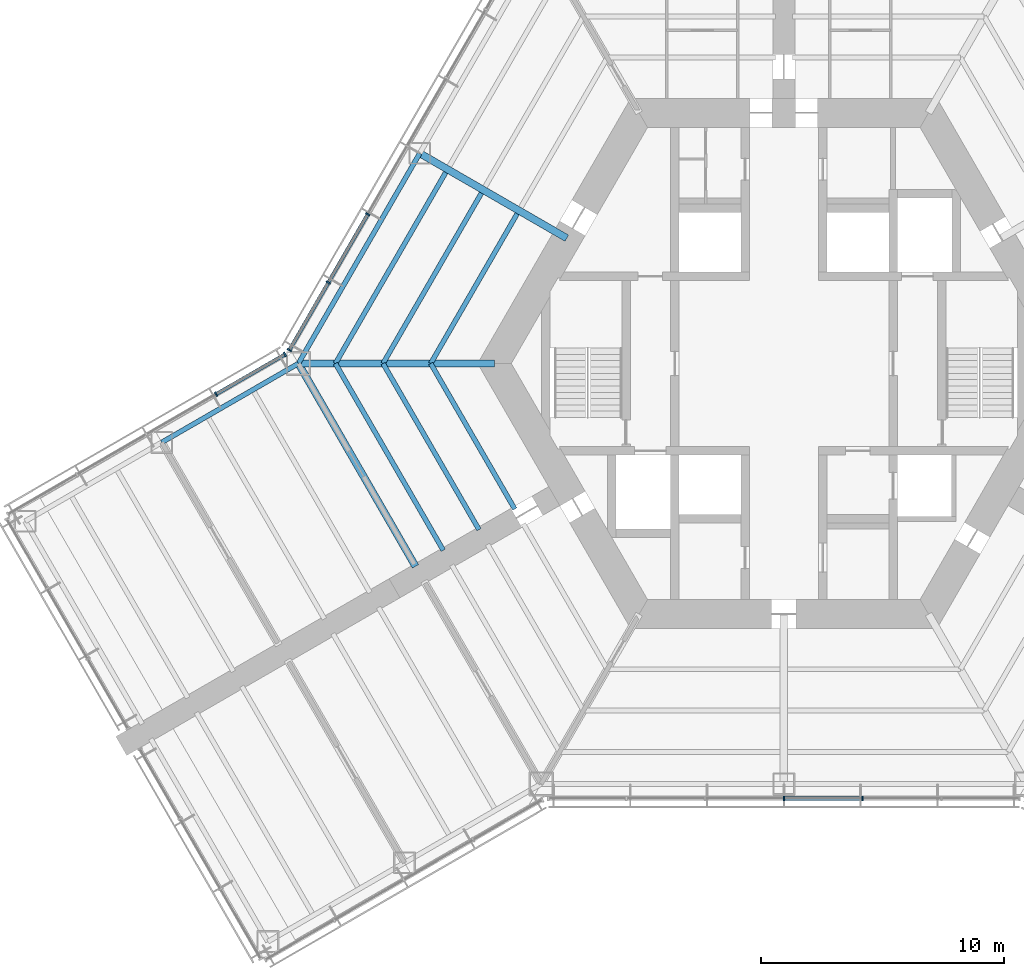
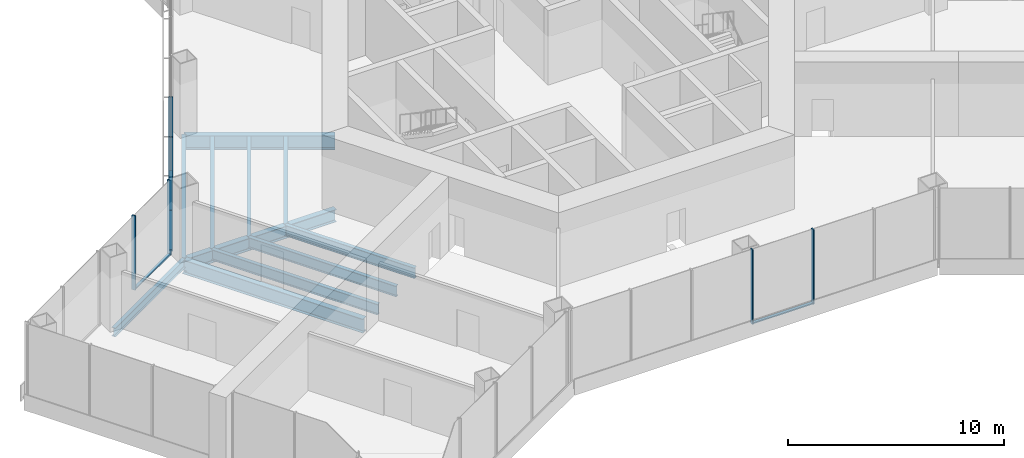
# One storey, part 3 of 15: 11 beams, 11 members, 3 elements without a shape of their own.
"""IFC4 building model written with IfcOpenShell, lengths in metres."""

from ifc_helpers import new_model, si_unit, direction, frame, origin, origin_2d, place, context, subcontext, project, spatial, rectangle, i_section, extrude, material, material_profile, profile_set, type_object, element, aggregate, save


model = new_model("IFC4")

# Units and contexts
model_context = context("Model", 3, precision=1e-05, world=origin(), true_north=direction((0.0, 1.0)))
body_context = subcontext(model_context, "Body", "Model", "MODEL_VIEW")
ifc_project = project(units=[si_unit("LENGTHUNIT", "METRE"), si_unit("AREAUNIT", "SQUARE_METRE"), si_unit("VOLUMEUNIT", "CUBIC_METRE"), si_unit("PLANEANGLEUNIT", "RADIAN"), si_unit("MASSUNIT", "GRAM", prefix="KILO")], contexts=[model_context])

# Site, building, storey
site_placement = place(None, origin())
site = spatial("IfcSite", under=ifc_project, at=site_placement, CompositionType="ELEMENT")
building_placement = place(site_placement, origin())
building = spatial("IfcBuilding", under=site, at=building_placement, Name="Kasaneha Research Tower", CompositionType="ELEMENT")
storey_placement = place(building_placement, frame((0.0, 0.0, 31.0)))
storey = spatial("IfcBuildingStorey", under=building, at=storey_placement, Name="L08", CompositionType="ELEMENT", Elevation=31.0)

# Beams
ifc_material_1 = material(Name="Steel SN490B", Category="steel")
ifc_material_profile_1 = material_profile(ifc_material_1, i_section(OverallWidth=0.199951171875, OverallDepth=0.60009765625, WebThickness=0.010986328125, FlangeThickness=0.01708984375, FilletRadius=0.012939453125, at=origin_2d()), Name="H-600x200x11x17")
ifc_profile_set_1 = profile_set([ifc_material_profile_1], Name="Steel SN490B")
beam_type_1 = type_object("IfcBeamType", Name="B1-2 secondary beam H-600x200x11x17", PredefinedType="JOIST", material=ifc_profile_set_1)
beam_1_placement = place(storey_placement, frame((-14.54931640625, 0.0, -0.469970703125), z_axis=(0.500016104636, 0.866016105569, 0.0), x_axis=(-0.866016105569, 0.500016104636, 0.0)))
element("IfcBeam", 1, at=beam_1_placement, inside=storey, type_object=beam_type_1, Name="Secondary beam RS150R1 L08", PredefinedType="JOIST", context=body_context, shape_type="SweptSolid", body=[
    extrude(i_section(OverallWidth=0.199951171875, OverallDepth=0.60009765625, WebThickness=0.010986328125, FlangeThickness=0.01708984375, FilletRadius=0.012939453125, at=origin_2d()), origin(), (0.0, 0.0, 1.0), 7.124755859375),
])
beam_2_placement = place(storey_placement, frame((-16.51220703125, 0.0, -0.469970703125), z_axis=(0.49999707157, 0.866027094508, 0.0), x_axis=(-0.866027094508, 0.49999707157, 0.0)))
element("IfcBeam", 2, at=beam_2_placement, inside=storey, type_object=beam_type_1, Name="Secondary beam RS150R2 L08", PredefinedType="JOIST", context=body_context, shape_type="SweptSolid", body=[
    extrude(i_section(OverallWidth=0.199951171875, OverallDepth=0.60009765625, WebThickness=0.010986328125, FlangeThickness=0.01708984375, FilletRadius=0.012939453125, at=origin_2d()), origin(), (0.0, 0.0, 1.0), 8.10595703125),
])
beam_3_placement = place(storey_placement, frame((-18.47509765625, 0.0, -0.469970703125), z_axis=(0.499990665392, 0.866030793056, 0.0), x_axis=(-0.866030793056, 0.499990665392, 0.0)))
element("IfcBeam", 3, at=beam_3_placement, inside=storey, type_object=beam_type_1, Name="Secondary beam RS150R3 L08", PredefinedType="JOIST", context=body_context, shape_type="SweptSolid", body=[
    extrude(i_section(OverallWidth=0.199951171875, OverallDepth=0.60009765625, WebThickness=0.010986328125, FlangeThickness=0.01708984375, FilletRadius=0.012939453125, at=origin_2d()), origin(), (0.0, 0.0, 1.0), 9.087646484375),
])
beam_4_placement = place(storey_placement, frame((-14.54931640625, 0.0, -0.469970703125), z_axis=(0.500014420154, -0.866017078145, 0.0), x_axis=(0.866017078145, 0.500014420154, 0.0)))
element("IfcBeam", 4, at=beam_4_placement, inside=storey, type_object=beam_type_1, Name="Secondary beam RS210L1 L08", PredefinedType="JOIST", context=body_context, shape_type="SweptSolid", body=[
    extrude(i_section(OverallWidth=0.199951171875, OverallDepth=0.60009765625, WebThickness=0.010986328125, FlangeThickness=0.01708984375, FilletRadius=0.012939453125, at=origin_2d()), origin(), (0.0, 0.0, 1.0), 6.924560546875),
])
beam_5_placement = place(storey_placement, frame((-16.51220703125, 0.0, -0.469970703125), z_axis=(0.500004902938, -0.866022573054, 0.0), x_axis=(0.866022573054, 0.500004902938, 0.0)))
element("IfcBeam", 5, at=beam_5_placement, inside=storey, type_object=beam_type_1, Name="Secondary beam RS210L2 L08", PredefinedType="JOIST", context=body_context, shape_type="SweptSolid", body=[
    extrude(i_section(OverallWidth=0.199951171875, OverallDepth=0.60009765625, WebThickness=0.010986328125, FlangeThickness=0.01708984375, FilletRadius=0.012939453125, at=origin_2d()), origin(), (0.0, 0.0, 1.0), 7.90625),
])
beam_6_placement = place(storey_placement, frame((-18.47509765625, 0.0, -0.469970703125), z_axis=(0.499988779951, -0.866031881586, 0.0), x_axis=(0.866031881586, 0.499988779951, 0.0)))
element("IfcBeam", 6, at=beam_6_placement, inside=storey, type_object=beam_type_1, Name="Secondary beam RS210L3 L08", PredefinedType="JOIST", context=body_context, shape_type="SweptSolid", body=[
    extrude(i_section(OverallWidth=0.199951171875, OverallDepth=0.60009765625, WebThickness=0.010986328125, FlangeThickness=0.01708984375, FilletRadius=0.012939453125, at=origin_2d()), origin(), (0.0, 0.0, 1.0), 8.887451171875),
])

# Curtain wall, members
ifc_material_2 = material(Name="Glass and aluminium", Category="aluminium")
curtain_wall_type = type_object("IfcCurtainWallType", Name="Dry laboratory curtain wall", PredefinedType="USERDEFINED", material=ifc_material_2)
curtain_wall_1_placement = place(storey_placement, origin())
curtain_wall_1 = element("IfcCurtainWall", 7, at=curtain_wall_1_placement, inside=storey, type_object=curtain_wall_type, Name="CW-L2 L08 run 02a", ObjectType="UNITISED CURTAIN WALL", PredefinedType="USERDEFINED")
ifc_material_3 = material(Name="Aluminium 6063-T6", Category="aluminium")
ifc_material_profile_2 = material_profile(ifc_material_3, rectangle(XDim=0.06494140625, YDim=0.199951171875, at=origin_2d()), Name="CW-L2 mullion 65x200")
ifc_profile_set_2 = profile_set([ifc_material_profile_2], Name="Aluminium 6063-T6")
member_type_1 = type_object("IfcMemberType", Name="CW-L2 mullion", PredefinedType="MULLION", material=ifc_profile_set_2)
member_1_placement = place(storey_placement, frame((0.0, -17.92041015625, 0.0), z_axis=(0.0, 0.0, 1.0), x_axis=(1.0, 0.0, 0.0)))
member_1 = element("IfcMember", 8, at=member_1_placement, type_object=member_type_1, Name="CW-L2 mullion 4", PredefinedType="MULLION", context=body_context, shape_type="SweptSolid", body=[
    extrude(rectangle(XDim=0.06494140625, YDim=0.199951171875, at=origin_2d()), origin(), (0.0, 0.0, 1.0), 4.199951171875),
])
member_2_placement = place(storey_placement, frame((3.246337890625, -17.92041015625, 0.0), z_axis=(0.0, 0.0, 1.0), x_axis=(1.0, 0.0, 0.0)))
member_2 = element("IfcMember", 9, at=member_2_placement, type_object=member_type_1, Name="CW-L2 mullion 5", PredefinedType="MULLION", context=body_context, shape_type="SweptSolid", body=[
    extrude(rectangle(XDim=0.06494140625, YDim=0.199951171875, at=origin_2d()), origin(), (0.0, 0.0, 1.0), 4.199951171875),
])

curtain_wall_2_placement = place(storey_placement, origin())
curtain_wall_2 = element("IfcCurtainWall", 10, at=curtain_wall_2_placement, inside=storey, type_object=curtain_wall_type, Name="CW-L2 L08 run 12a", ObjectType="UNITISED CURTAIN WALL", PredefinedType="USERDEFINED")
member_3_placement = place(storey_placement, frame((-17.142822265625, 6.148681640625, 0.0), z_axis=(0.0, 0.0, 1.0), x_axis=(-0.49999996188, -0.866025425793, 0.0)))
member_3 = element("IfcMember", 11, at=member_3_placement, type_object=member_type_1, Name="CW-L2 mullion 5", PredefinedType="MULLION", context=body_context, shape_type="SweptSolid", body=[
    extrude(rectangle(XDim=0.06494140625, YDim=0.199951171875, at=origin_2d()), origin(), (0.0, 0.0, 1.0), 4.199951171875),
])
member_4_placement = place(storey_placement, frame((-18.76611328125, 3.33740234375, 0.0), z_axis=(0.0, 0.0, 1.0), x_axis=(-0.49999996188, -0.866025425793, 0.0)))
member_4 = element("IfcMember", 12, at=member_4_placement, type_object=member_type_1, Name="CW-L2 mullion 6", PredefinedType="MULLION", context=body_context, shape_type="SweptSolid", body=[
    extrude(rectangle(XDim=0.06494140625, YDim=0.199951171875, at=origin_2d()), origin(), (0.0, 0.0, 1.0), 4.199951171875),
])
member_5_placement = place(storey_placement, frame((-20.373046875, 0.553955078125, 0.0), z_axis=(0.0, 0.0, 1.0), x_axis=(-0.49999996188, -0.866025425793, 0.0)))
member_5 = element("IfcMember", 13, at=member_5_placement, type_object=member_type_1, Name="CW-L2 mullion 7", PredefinedType="MULLION", context=body_context, shape_type="SweptSolid", body=[
    extrude(rectangle(XDim=0.06494140625, YDim=0.199951171875, at=origin_2d()), origin(), (0.0, 0.0, 1.0), 4.199951171875),
])

curtain_wall_3_placement = place(storey_placement, origin())
curtain_wall_3 = element("IfcCurtainWall", 14, at=curtain_wall_3_placement, inside=storey, type_object=curtain_wall_type, Name="CW-L2 L08 run 13a", ObjectType="UNITISED CURTAIN WALL", PredefinedType="USERDEFINED")
member_6_placement = place(storey_placement, frame((-20.553955078125, 0.373046875, 0.0), z_axis=(0.0, 0.0, 1.0), x_axis=(-0.866025411464, -0.499999986699, 0.0)))
member_6 = element("IfcMember", 15, at=member_6_placement, type_object=member_type_1, Name="CW-L2 mullion 1", PredefinedType="MULLION", context=body_context, shape_type="SweptSolid", body=[
    extrude(rectangle(XDim=0.06494140625, YDim=0.199951171875, at=origin_2d()), origin(), (0.0, 0.0, 1.0), 4.199951171875),
])
member_7_placement = place(storey_placement, frame((-23.39208984375, -1.265625, 0.0), z_axis=(0.0, 0.0, 1.0), x_axis=(-0.866025411464, -0.499999986699, 0.0)))
member_7 = element("IfcMember", 16, at=member_7_placement, type_object=member_type_1, Name="CW-L2 mullion 2", PredefinedType="MULLION", context=body_context, shape_type="SweptSolid", body=[
    extrude(rectangle(XDim=0.06494140625, YDim=0.199951171875, at=origin_2d()), origin(), (0.0, 0.0, 1.0), 4.199951171875),
])

# Member
ifc_material_4 = material(Name="Aluminium 6063-T6", Category="aluminium")
ifc_material_profile_3 = material_profile(ifc_material_4, rectangle(XDim=0.14990234375, YDim=0.06494140625, at=origin_2d()), Name="CW-L2 transom 150x65")
ifc_profile_set_3 = profile_set([ifc_material_profile_3], Name="Aluminium 6063-T6")
member_type_2 = type_object("IfcMemberType", Name="CW-L2 transom", PredefinedType="USERDEFINED", material=ifc_profile_set_3)
member_8_placement = place(storey_placement, frame((0.032470703125, -17.92041015625, 0.032470703125), z_axis=(1.0, 0.0, 0.0), x_axis=(0.0, 1.0, 0.0)))
member_8 = element("IfcMember", 17, at=member_8_placement, type_object=member_type_2, Name="CW-L2 transom 4", ObjectType="TRANSOM", PredefinedType="USERDEFINED", context=body_context, shape_type="SweptSolid", body=[
    extrude(rectangle(XDim=0.14990234375, YDim=0.06494140625, at=origin_2d()), origin(), (0.0, 0.0, 1.0), 3.181396484375),
])

aggregate(curtain_wall_1, [member_1, member_2, member_8])

member_9_placement = place(storey_placement, frame((-17.1591796875, 6.12060546875, 0.032470703125), z_axis=(-0.499977104415, -0.866038622153, 0.0), x_axis=(0.866038622153, -0.499977104415, 0.0)))
member_9 = element("IfcMember", 18, at=member_9_placement, type_object=member_type_2, Name="CW-L2 transom 5", ObjectType="TRANSOM", PredefinedType="USERDEFINED", context=body_context, shape_type="SweptSolid", body=[
    extrude(rectangle(XDim=0.14990234375, YDim=0.06494140625, at=origin_2d()), origin(), (0.0, 0.0, 1.0), 3.181396484375),
])

member_10_placement = place(storey_placement, frame((-18.7822265625, 3.30908203125, 0.032470703125), z_axis=(-0.49999985423, -0.866025487945, 0.0), x_axis=(0.866025487945, -0.49999985423, 0.0)))
member_10 = element("IfcMember", 19, at=member_10_placement, type_object=member_type_2, Name="CW-L2 transom 6", ObjectType="TRANSOM", PredefinedType="USERDEFINED", context=body_context, shape_type="SweptSolid", body=[
    extrude(rectangle(XDim=0.14990234375, YDim=0.06494140625, at=origin_2d()), origin(), (0.0, 0.0, 1.0), 3.14892578125),
])

aggregate(curtain_wall_2, [member_3, member_4, member_5, member_9, member_10])

member_11_placement = place(storey_placement, frame((-20.58203125, 0.356689453125, 0.032470703125), z_axis=(-0.866022320763, -0.500005339912, 0.0), x_axis=(0.500005339912, -0.866022320763, 0.0)))
member_11 = element("IfcMember", 20, at=member_11_placement, type_object=member_type_2, Name="CW-L2 transom 1", ObjectType="TRANSOM", PredefinedType="USERDEFINED", context=body_context, shape_type="SweptSolid", body=[
    extrude(rectangle(XDim=0.14990234375, YDim=0.06494140625, at=origin_2d()), origin(), (0.0, 0.0, 1.0), 3.21240234375),
])

aggregate(curtain_wall_3, [member_6, member_7, member_11])

# Beams
ifc_material_5 = material(Name="Steel SN490B", Category="steel")
ifc_material_profile_4 = material_profile(ifc_material_5, i_section(OverallWidth=0.300048828125, OverallDepth=0.699951171875, WebThickness=0.012939453125, FlangeThickness=0.02392578125, FilletRadius=0.01806640625, at=origin_2d()), Name="H-700x300x13x24")
ifc_profile_set_4 = profile_set([ifc_material_profile_4], Name="Steel SN490B")
beam_type_2 = type_object("IfcBeamType", Name="G1-2 radial girder H-700x300x13x24", PredefinedType="BEAM", material=ifc_profile_set_4)
beam_7_placement = place(storey_placement, frame((-11.92236328125, 0.0, -0.52001953125), z_axis=(-1.0, 0.0, 0.0), x_axis=(0.0, -1.0, 0.0)))
element("IfcBeam", 21, at=beam_7_placement, inside=storey, type_object=beam_type_2, Name="Radial girder RV180 L08", PredefinedType="BEAM", context=body_context, shape_type="SweptSolid", body=[
    extrude(i_section(OverallWidth=0.300048828125, OverallDepth=0.699951171875, WebThickness=0.012939453125, FlangeThickness=0.02392578125, FilletRadius=0.01806640625, at=origin_2d()), origin(), (0.0, 0.0, 1.0), 8.07763671875),
])
ifc_material_6 = material(Name="Steel SN490B", Category="steel")
ifc_material_profile_5 = material_profile(ifc_material_6, i_section(OverallWidth=0.300048828125, OverallDepth=0.800048828125, WebThickness=0.013916015625, FlangeThickness=0.02587890625, FilletRadius=0.01806640625, at=origin_2d()), Name="H-800x300x14x26")
ifc_profile_set_5 = profile_set([ifc_material_profile_5], Name="Steel SN490B")
beam_type_3 = type_object("IfcBeamType", Name="G2-2 radial girder H-800x300x14x26", PredefinedType="BEAM", material=ifc_profile_set_5)
beam_8_placement = place(storey_placement, frame((-8.941650390625, 5.16259765625, -0.570068359375), z_axis=(-0.866039713508, 0.499975214012, 0.0), x_axis=(-0.499975214012, -0.866039713508, 0.0)))
element("IfcBeam", 22, at=beam_8_placement, inside=storey, type_object=beam_type_3, Name="Radial girder RM150 L08", PredefinedType="BEAM", context=body_context, shape_type="SweptSolid", body=[
    extrude(i_section(OverallWidth=0.300048828125, OverallDepth=0.800048828125, WebThickness=0.013916015625, FlangeThickness=0.02587890625, FilletRadius=0.01806640625, at=origin_2d()), origin(), (0.0, 0.0, 1.0), 6.995361328125),
])
ifc_material_7 = material(Name="Steel SN490B", Category="steel")
ifc_material_profile_6 = material_profile(ifc_material_7, i_section(OverallWidth=0.300048828125, OverallDepth=0.7919921875, WebThickness=0.013916015625, FlangeThickness=0.02197265625, FilletRadius=0.01806640625, at=origin_2d()), Name="H-792x300x14x22")
ifc_profile_set_6 = profile_set([ifc_material_profile_6], Name="Steel SN490B")
beam_type_4 = type_object("IfcBeamType", Name="G3-2 plate edge girder H-792x300x14x22", PredefinedType="BEAM", material=ifc_profile_set_6)
beam_9_placement = place(storey_placement, frame((-20.0, 0.0, -0.56591796875), z_axis=(0.499994742786, -0.866028439017, 0.0), x_axis=(0.866028439017, 0.499994742786, 0.0)))
element("IfcBeam", 23, at=beam_9_placement, inside=storey, type_object=beam_type_4, Name="Plate edge girder PEBP L08", PredefinedType="BEAM", context=body_context, shape_type="SweptSolid", body=[
    extrude(i_section(OverallWidth=0.300048828125, OverallDepth=0.7919921875, WebThickness=0.013916015625, FlangeThickness=0.02197265625, FilletRadius=0.01806640625, at=origin_2d()), origin(), (0.0, 0.0, 1.0), 9.64990234375),
])
ifc_material_8 = material(Name="Steel SN490B", Category="steel")
ifc_material_profile_7 = material_profile(ifc_material_8, i_section(OverallWidth=0.199951171875, OverallDepth=0.60009765625, WebThickness=0.010986328125, FlangeThickness=0.01708984375, FilletRadius=0.012939453125, at=origin_2d()), Name="H-600x200x11x17")
ifc_profile_set_7 = profile_set([ifc_material_profile_7], Name="Steel SN490B")
beam_type_5 = type_object("IfcBeamType", Name="SB1-2 spandrel beam H-600x200x11x17", PredefinedType="SPANDREL", material=ifc_profile_set_7)
beam_10_placement = place(storey_placement, frame((-20.0, 0.0, -0.469970703125), z_axis=(0.500004234368, 0.866022959057, 0.0), x_axis=(-0.866022959057, 0.500004234368, 0.0)))
element("IfcBeam", 24, at=beam_10_placement, inside=storey, type_object=beam_type_5, Name="Spandrel beam SR150R L08", PredefinedType="SPANDREL", context=body_context, shape_type="SweptSolid", body=[
    extrude(i_section(OverallWidth=0.199951171875, OverallDepth=0.60009765625, WebThickness=0.010986328125, FlangeThickness=0.01708984375, FilletRadius=0.012939453125, at=origin_2d()), origin(), (0.0, 0.0, 1.0), 10.0),
])
ifc_material_9 = material(Name="Steel SN490B", Category="steel")
ifc_material_profile_8 = material_profile(ifc_material_9, i_section(OverallWidth=0.199951171875, OverallDepth=0.5, WebThickness=0.010009765625, FlangeThickness=0.01611328125, FilletRadius=0.012939453125, at=origin_2d()), Name="H-500x200x10x16")
ifc_profile_set_8 = profile_set([ifc_material_profile_8], Name="Steel SN490B")
beam_type_6 = type_object("IfcBeamType", Name="SB2-2 spandrel beam H-500x200x10x16", PredefinedType="SPANDREL", material=ifc_profile_set_8)
beam_11_placement = place(storey_placement, frame((-20.0, 0.0, -0.419921875), z_axis=(-0.866024837091, -0.50000098154, 0.0), x_axis=(0.50000098154, -0.866024837091, 0.0)))
element("IfcBeam", 25, at=beam_11_placement, inside=storey, type_object=beam_type_6, Name="Spandrel beam WSBP1 L08", PredefinedType="SPANDREL", context=body_context, shape_type="SweptSolid", body=[
    extrude(i_section(OverallWidth=0.199951171875, OverallDepth=0.5, WebThickness=0.010009765625, FlangeThickness=0.01611328125, FilletRadius=0.012939453125, at=origin_2d()), origin(), (0.0, 0.0, 1.0), 6.5),
])

save(model, "model.ifc")
